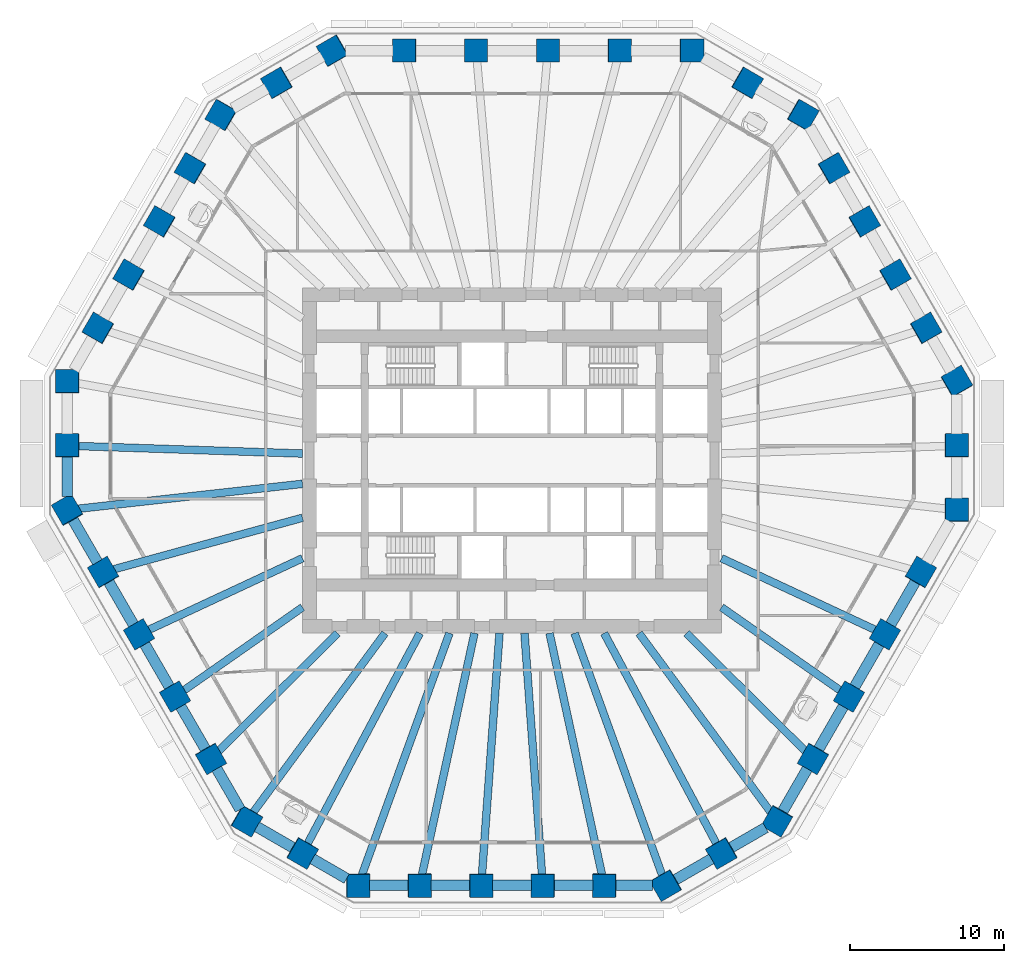
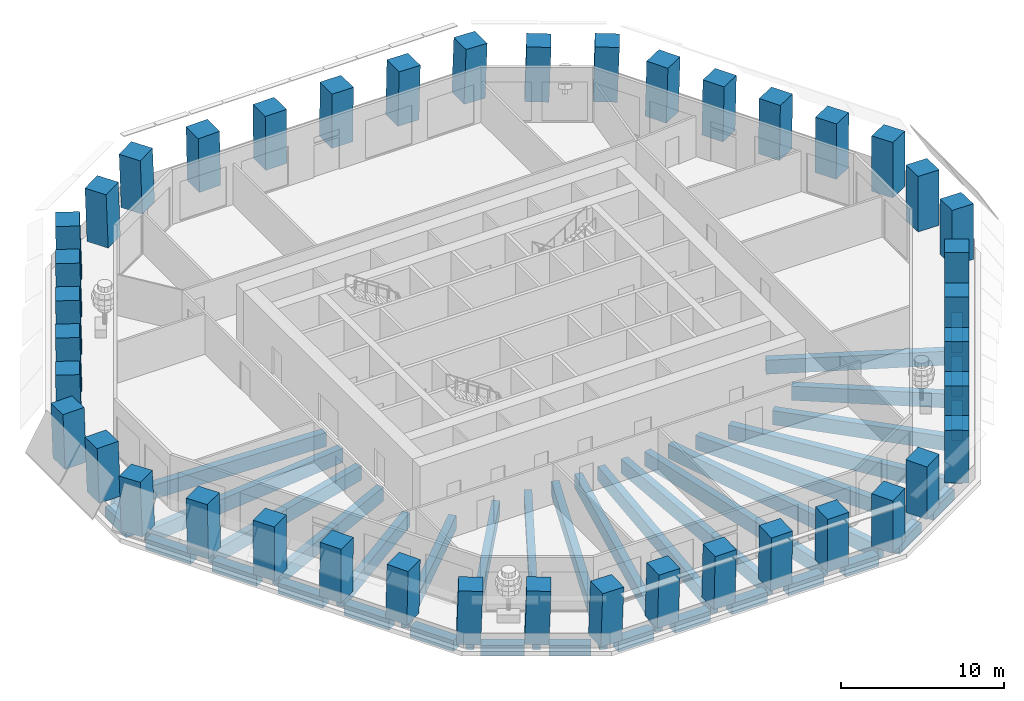
# One storey, part 1 of 12: 42 columns, 38 beams.
"""IFC4 building model written with IfcOpenShell, lengths in metres."""

from ifc_helpers import new_model, si_unit, direction, frame, origin, origin_2d, place, context, subcontext, project, spatial, rectangle, extrude, material, material_profile, profile_set, type_object, element, save


model = new_model("IFC4")

# Units and contexts
model_context = context("Model", 3, precision=1e-05, world=origin(), true_north=direction((0.0, 1.0)))
body_context = subcontext(model_context, "Body", "Model", "MODEL_VIEW")
ifc_project = project(units=[si_unit("LENGTHUNIT", "METRE"), si_unit("AREAUNIT", "SQUARE_METRE"), si_unit("VOLUMEUNIT", "CUBIC_METRE"), si_unit("PLANEANGLEUNIT", "RADIAN"), si_unit("MASSUNIT", "GRAM", prefix="KILO")], contexts=[model_context])

# Site, building, storey
site_placement = place(None, origin())
site = spatial("IfcSite", under=ifc_project, at=site_placement, CompositionType="ELEMENT")
building_placement = place(site_placement, origin())
building = spatial("IfcBuilding", under=site, at=building_placement, Name="Frailejon Research Tower", CompositionType="ELEMENT")
storey_placement = place(building_placement, frame((0.0, 0.0, 45.39990234375)))
storey = spatial("IfcBuildingStorey", under=building, at=storey_placement, Name="L10", CompositionType="ELEMENT", Elevation=45.39990234375)

# Columns
ifc_material_1 = material(Name="Concrete C70/85", Category="concrete")
ifc_material_profile_1 = material_profile(ifc_material_1, rectangle(XDim=1.5, YDim=1.5, at=origin_2d()), Name="Column 1500")
ifc_profile_set_1 = profile_set([ifc_material_profile_1], Name="Concrete C70/85")
column_type = type_object("IfcColumnType", Name="Column 1500", PredefinedType="COLUMN", material=ifc_profile_set_1)
for number, where, z_axis, x_axis, name in (
    (1, (28.9716796875, -3.219482421875, 0.0), (0.018132630042, 0.031385715123, 0.999342856388), (-0.000879091474, 0.999507299139, -0.031374928948), "Column C01"),
    (2, (28.9716796875, 0.968017578125, 0.0), (0.018132630042, 0.031385715123, 0.999342856388), (-0.000564983943, 0.99950734708, -0.031380629795), "Column C02"),
    (3, (28.9716796875, 5.155517578125, 0.0), (0.018132630042, 0.031385715123, 0.999342856388), (-0.500407005807, 0.865600954182, -0.018105707902), "Column C03"),
):
    element("IfcColumn", number, at=place(storey_placement, frame(where, z_axis=z_axis, x_axis=x_axis)), inside=storey, type_object=column_type, Name=name, PredefinedType="COLUMN", context=body_context, shape_type="SweptSolid", body=[
        extrude(rectangle(XDim=1.5, YDim=1.5, at=origin_2d()), origin(), (0.0, 0.0, 1.0), 4.052734375),
    ])
column_1_placement = place(storey_placement, frame((26.96728515625, 8.626953125, 0.0), z_axis=(0.021809609218, 0.025123223878, 0.999446429063), x_axis=(-0.499316957517, 0.86635106376, -0.010881647777)))
element("IfcColumn", 4, at=column_1_placement, inside=storey, type_object=column_type, Name="Column C04", PredefinedType="COLUMN", context=body_context, shape_type="SweptSolid", body=[
    extrude(rectangle(XDim=1.5, YDim=1.5, at=origin_2d()), origin(), (0.0, 0.0, 1.0), 4.05224609375),
])
for number, where, z_axis, x_axis, name in (
    (5, (24.963134765625, 12.098388671875, 0.0), (0.025425823116, 0.018798238892, 0.999499951843), (-0.498882626684, 0.866662044711, -0.003609023418), "Column C05"),
    (6, (22.958984375, 15.569580078125, 0.0), (0.029040838643, 0.012592396839, 0.999498905068), (-0.500555205851, 0.86569697754, 0.003637165647), "Column C06"),
):
    element("IfcColumn", number, at=place(storey_placement, frame(where, z_axis=z_axis, x_axis=x_axis)), inside=storey, type_object=column_type, Name=name, PredefinedType="COLUMN", context=body_context, shape_type="SweptSolid", body=[
        extrude(rectangle(XDim=1.5, YDim=1.5, at=origin_2d()), origin(), (0.0, 0.0, 1.0), 4.052001953125),
    ])
column_2_placement = place(storey_placement, frame((20.954833984375, 19.041015625, 0.0), z_axis=(0.032654187208, 0.006265748099, 0.999447069363), x_axis=(-0.498938011444, 0.86656951925, 0.010868718561)))
element("IfcColumn", 7, at=column_2_placement, inside=storey, type_object=column_type, Name="Column C07", PredefinedType="COLUMN", context=body_context, shape_type="SweptSolid", body=[
    extrude(rectangle(XDim=1.5, YDim=1.5, at=origin_2d()), origin(), (0.0, 0.0, 1.0), 4.05224609375),
])
for number, where, z_axis, x_axis, name in (
    (8, (18.95068359375, 22.512451171875, 0.0), (0.036265236264, 0.0, 0.999342199969), (-0.865313546461, 0.500246354177, 0.031401456084), "Column C08"),
    (9, (15.32421875, 24.606201171875, 0.0), (0.036205074038, 0.0, 0.999344381389), (-0.865315435316, 0.500246354177, 0.031349362627), "Column C09"),
    (10, (11.697509765625, 26.699951171875, 0.0), (0.036265236264, 0.0, 0.999342199969), (-0.999342199969, 0.0, 0.036265236264), "Column C10"),
):
    element("IfcColumn", number, at=place(storey_placement, frame(where, z_axis=z_axis, x_axis=x_axis)), inside=storey, type_object=column_type, Name=name, PredefinedType="COLUMN", context=body_context, shape_type="SweptSolid", body=[
        extrude(rectangle(XDim=1.5, YDim=1.5, at=origin_2d()), origin(), (0.0, 0.0, 1.0), 4.052734375),
    ])
column_3_placement = place(storey_placement, frame((7.0185546875, 26.699951171875, 0.0), z_axis=(0.021756257337, 0.0, 0.999763304621), x_axis=(-0.999763304621, 0.0, 0.021756257337)))
element("IfcColumn", 11, at=column_3_placement, inside=storey, type_object=column_type, Name="Column C11", PredefinedType="COLUMN", context=body_context, shape_type="SweptSolid", body=[
    extrude(rectangle(XDim=1.5, YDim=1.5, at=origin_2d()), origin(), (0.0, 0.0, 1.0), 4.051025390625),
])
for number, where, z_axis, x_axis, name in (
    (12, (2.339599609375, 26.699951171875, 0.0), (0.007233519834, 0.0, 0.999973837753), (-0.999973837753, 0.0, 0.007233519834), "Column C12"),
    (13, (-2.339599609375, 26.699951171875, 0.0), (-0.007233519834, 0.0, 0.999973837753), (-0.999973837753, 0.0, -0.007233519834), "Column C13"),
):
    element("IfcColumn", number, at=place(storey_placement, frame(where, z_axis=z_axis, x_axis=x_axis)), inside=storey, type_object=column_type, Name=name, PredefinedType="COLUMN", context=body_context, shape_type="SweptSolid", body=[
        extrude(rectangle(XDim=1.5, YDim=1.5, at=origin_2d()), origin(), (0.0, 0.0, 1.0), 4.050048828125),
    ])
column_4_placement = place(storey_placement, frame((-7.0185546875, 26.699951171875, 0.0), z_axis=(-0.021756257337, 0.0, 0.999763304621), x_axis=(-0.999763304621, 0.0, -0.021756257337)))
element("IfcColumn", 14, at=column_4_placement, inside=storey, type_object=column_type, Name="Column C14", PredefinedType="COLUMN", context=body_context, shape_type="SweptSolid", body=[
    extrude(rectangle(XDim=1.5, YDim=1.5, at=origin_2d()), origin(), (0.0, 0.0, 1.0), 4.051025390625),
])
for number, where, z_axis, x_axis, name in (
    (15, (-11.697509765625, 26.699951171875, 0.0), (-0.036265236264, 0.0, 0.999342199969), (-0.865313546461, -0.500246354177, -0.031401456084), "Column C15"),
    (16, (-15.32421875, 24.606201171875, 0.0), (-0.036205074038, 0.0, 0.999344381389), (-0.865315435316, -0.500246354177, -0.031349362627), "Column C16"),
    (17, (-18.95068359375, 22.512451171875, 0.0), (-0.036265236264, 0.0, 0.999342199969), (-0.499424867419, -0.866167613071, -0.018123682572), "Column C17"),
):
    element("IfcColumn", number, at=place(storey_placement, frame(where, z_axis=z_axis, x_axis=x_axis)), inside=storey, type_object=column_type, Name=name, PredefinedType="COLUMN", context=body_context, shape_type="SweptSolid", body=[
        extrude(rectangle(XDim=1.5, YDim=1.5, at=origin_2d()), origin(), (0.0, 0.0, 1.0), 4.052734375),
    ])
column_5_placement = place(storey_placement, frame((-20.954833984375, 19.041015625, 0.0), z_axis=(-0.032654187208, 0.006265748099, 0.999447069363), x_axis=(-0.498938011444, -0.86656951925, -0.010868718561)))
element("IfcColumn", 18, at=column_5_placement, inside=storey, type_object=column_type, Name="Column C18", PredefinedType="COLUMN", context=body_context, shape_type="SweptSolid", body=[
    extrude(rectangle(XDim=1.5, YDim=1.5, at=origin_2d()), origin(), (0.0, 0.0, 1.0), 4.05224609375),
])
for number, where, z_axis, x_axis, name in (
    (19, (-22.958984375, 15.569580078125, 0.0), (-0.029040838643, 0.012592396839, 0.999498905068), (-0.500555205851, -0.86569697754, -0.003637165647), "Column C19"),
    (20, (-24.963134765625, 12.098388671875, 0.0), (-0.025425823116, 0.018798238892, 0.999499951843), (-0.498882626684, -0.866662044711, 0.003609023418), "Column C20"),
):
    element("IfcColumn", number, at=place(storey_placement, frame(where, z_axis=z_axis, x_axis=x_axis)), inside=storey, type_object=column_type, Name=name, PredefinedType="COLUMN", context=body_context, shape_type="SweptSolid", body=[
        extrude(rectangle(XDim=1.5, YDim=1.5, at=origin_2d()), origin(), (0.0, 0.0, 1.0), 4.052001953125),
    ])
column_6_placement = place(storey_placement, frame((-26.96728515625, 8.626953125, 0.0), z_axis=(-0.021809609218, 0.025123223878, 0.999446429063), x_axis=(-0.499316957517, -0.86635106376, 0.010881647777)))
element("IfcColumn", 21, at=column_6_placement, inside=storey, type_object=column_type, Name="Column C21", PredefinedType="COLUMN", context=body_context, shape_type="SweptSolid", body=[
    extrude(rectangle(XDim=1.5, YDim=1.5, at=origin_2d()), origin(), (0.0, 0.0, 1.0), 4.05224609375),
])
for number, where, z_axis, x_axis, name in (
    (22, (-28.9716796875, 5.155517578125, 0.0), (-0.018132630042, 0.031385715123, 0.999342856388), (-0.000564983943, -0.99950734708, 0.031380629795), "Column C22"),
    (23, (-28.9716796875, 0.968017578125, 0.0), (-0.018132630042, 0.031385715123, 0.999342856388), (-0.000564983943, -0.99950734708, 0.031380629795), "Column C23"),
    (24, (-28.9716796875, -3.219482421875, 0.0), (-0.018132630042, 0.031385715123, 0.999342856388), (0.499402725048, -0.865611381221, 0.036247136648), "Column C24"),
):
    element("IfcColumn", number, at=place(storey_placement, frame(where, z_axis=z_axis, x_axis=x_axis)), inside=storey, type_object=column_type, Name=name, PredefinedType="COLUMN", context=body_context, shape_type="SweptSolid", body=[
        extrude(rectangle(XDim=1.5, YDim=1.5, at=origin_2d()), origin(), (0.0, 0.0, 1.0), 4.052734375),
    ])
column_7_placement = place(storey_placement, frame((-26.632080078125, -7.271728515625, 0.0), z_axis=(-0.010908253887, 0.018863444567, 0.99976256204), x_axis=(0.500638377412, -0.865382225109, 0.021790354016)))
element("IfcColumn", 25, at=column_7_placement, inside=storey, type_object=column_type, Name="Column C25", PredefinedType="COLUMN", context=body_context, shape_type="SweptSolid", body=[
    extrude(rectangle(XDim=1.5, YDim=1.5, at=origin_2d()), origin(), (0.0, 0.0, 1.0), 4.051025390625),
])
for number, where, z_axis, x_axis, name in (
    (26, (-24.29248046875, -11.323974609375, 0.0), (-0.003677038334, 0.006269048963, 0.999973588858), (0.504393140963, -0.863443534882, 0.007267834663), "Column C26"),
    (27, (-21.953125, -15.376220703125, 0.0), (0.003616759812, -0.006269050341, 0.999973808685), (0.500530036588, -0.865688916746, -0.00723753388), "Column C27"),
):
    element("IfcColumn", number, at=place(storey_placement, frame(where, z_axis=z_axis, x_axis=x_axis)), inside=storey, type_object=column_type, Name=name, PredefinedType="COLUMN", context=body_context, shape_type="SweptSolid", body=[
        extrude(rectangle(XDim=1.5, YDim=1.5, at=origin_2d()), origin(), (0.0, 0.0, 1.0), 4.050048828125),
    ])
column_8_placement = place(storey_placement, frame((-19.613525390625, -19.42822265625, 0.0), z_axis=(0.010847994403, -0.018863456933, 0.999763217472), x_axis=(0.498562459177, -0.866580616749, -0.02176026136)))
element("IfcColumn", 28, at=column_8_placement, inside=storey, type_object=column_type, Name="Column C28", PredefinedType="COLUMN", context=body_context, shape_type="SweptSolid", body=[
    extrude(rectangle(XDim=1.5, YDim=1.5, at=origin_2d()), origin(), (0.0, 0.0, 1.0), 4.051025390625),
])
for number, where, z_axis, x_axis, name in (
    (29, (-17.274169921875, -23.48046875, 0.0), (0.018132630042, -0.031385715123, 0.999342856388), (0.865999247617, -0.499059286831, -0.031386802217), "Column C29"),
    (30, (-13.647705078125, -25.57421875, 0.0), (0.018132630042, -0.031385715123, 0.999342856388), (0.865884970752, -0.499257274245, -0.031390946777), "Column C30"),
    (31, (-10.02099609375, -27.66796875, 0.0), (0.018132630042, -0.031385715123, 0.999342856388), (0.999835440934, 0.001115627466, -0.018106529978), "Column C31"),
):
    element("IfcColumn", number, at=place(storey_placement, frame(where, z_axis=z_axis, x_axis=x_axis)), inside=storey, type_object=column_type, Name=name, PredefinedType="COLUMN", context=body_context, shape_type="SweptSolid", body=[
        extrude(rectangle(XDim=1.5, YDim=1.5, at=origin_2d()), origin(), (0.0, 0.0, 1.0), 4.052734375),
    ])
column_9_placement = place(storey_placement, frame((-6.0126953125, -27.66796875, 0.0), z_axis=(0.010904819076, -0.031389009606, 0.999447755011), x_axis=(0.999940093801, 0.001287275269, -0.010869762286)))
element("IfcColumn", 32, at=column_9_placement, inside=storey, type_object=column_type, Name="Column C32", PredefinedType="COLUMN", context=body_context, shape_type="SweptSolid", body=[
    extrude(rectangle(XDim=1.5, YDim=1.5, at=origin_2d()), origin(), (0.0, 0.0, 1.0), 4.05224609375),
])
for number, where, z_axis, x_axis, name in (
    (33, (-2.004150390625, -27.66796875, 0.0), (0.00361504848, -0.031390670968, 0.999500653927), (0.999993330164, -0.00040689317, -0.003629609449), "Column C33"),
    (34, (2.004150390625, -27.66796875, 0.0), (-0.00361504848, -0.031390670968, 0.999500653927), (0.999993330164, 0.00040689317, 0.003629609449), "Column C34"),
):
    element("IfcColumn", number, at=place(storey_placement, frame(where, z_axis=z_axis, x_axis=x_axis)), inside=storey, type_object=column_type, Name=name, PredefinedType="COLUMN", context=body_context, shape_type="SweptSolid", body=[
        extrude(rectangle(XDim=1.5, YDim=1.5, at=origin_2d()), origin(), (0.0, 0.0, 1.0), 4.052001953125),
    ])
column_10_placement = place(storey_placement, frame((6.0126953125, -27.66796875, 0.0), z_axis=(-0.010904819076, -0.031389009606, 0.999447755011), x_axis=(0.999940093801, -0.001287275269, 0.010869762286)))
element("IfcColumn", 35, at=column_10_placement, inside=storey, type_object=column_type, Name="Column C35", PredefinedType="COLUMN", context=body_context, shape_type="SweptSolid", body=[
    extrude(rectangle(XDim=1.5, YDim=1.5, at=origin_2d()), origin(), (0.0, 0.0, 1.0), 4.05224609375),
])
for number, where, z_axis, x_axis, name in (
    (36, (10.02099609375, -27.66796875, 0.0), (-0.018132630042, -0.031385715123, 0.999342856388), (0.866156195426, 0.498787200508, 0.031381104725), "Column C36"),
    (37, (13.647705078125, -25.57421875, 0.0), (-0.018132630042, -0.031385715123, 0.999342856388), (0.865884970752, 0.499257274245, 0.031390946777), "Column C37"),
    (38, (17.274169921875, -23.48046875, 0.0), (-0.018132630042, -0.031385715123, 0.999342856388), (0.49987281181, 0.865340000596, 0.036247143087), "Column C38"),
):
    element("IfcColumn", number, at=place(storey_placement, frame(where, z_axis=z_axis, x_axis=x_axis)), inside=storey, type_object=column_type, Name=name, PredefinedType="COLUMN", context=body_context, shape_type="SweptSolid", body=[
        extrude(rectangle(XDim=1.5, YDim=1.5, at=origin_2d()), origin(), (0.0, 0.0, 1.0), 4.052734375),
    ])
column_11_placement = place(storey_placement, frame((19.613525390625, -19.42822265625, 0.0), z_axis=(-0.010847994403, -0.018863456933, 0.999763217472), x_axis=(0.498562459177, 0.866580616749, 0.02176026136)))
element("IfcColumn", 39, at=column_11_placement, inside=storey, type_object=column_type, Name="Column C39", PredefinedType="COLUMN", context=body_context, shape_type="SweptSolid", body=[
    extrude(rectangle(XDim=1.5, YDim=1.5, at=origin_2d()), origin(), (0.0, 0.0, 1.0), 4.051025390625),
])
for number, where, z_axis, x_axis, name in (
    (40, (21.953125, -15.376220703125, 0.0), (-0.003616759812, -0.006269050341, 0.999973808685), (0.500530036588, 0.865688916746, 0.00723753388), "Column C40"),
    (41, (24.29248046875, -11.323974609375, 0.0), (0.003677038334, 0.006269048963, 0.999973588858), (0.504393140963, 0.863443534882, -0.007267834663), "Column C41"),
):
    element("IfcColumn", number, at=place(storey_placement, frame(where, z_axis=z_axis, x_axis=x_axis)), inside=storey, type_object=column_type, Name=name, PredefinedType="COLUMN", context=body_context, shape_type="SweptSolid", body=[
        extrude(rectangle(XDim=1.5, YDim=1.5, at=origin_2d()), origin(), (0.0, 0.0, 1.0), 4.050048828125),
    ])
column_12_placement = place(storey_placement, frame((26.632080078125, -7.271728515625, 0.0), z_axis=(0.010908253887, 0.018863444567, 0.99976256204), x_axis=(0.500638377412, 0.865382225109, -0.021790354016)))
element("IfcColumn", 42, at=column_12_placement, inside=storey, type_object=column_type, Name="Column C42", PredefinedType="COLUMN", context=body_context, shape_type="SweptSolid", body=[
    extrude(rectangle(XDim=1.5, YDim=1.5, at=origin_2d()), origin(), (0.0, 0.0, 1.0), 4.051025390625),
])

# Beams
ifc_material_2 = material(Name="Concrete C60/75", Category="concrete")
ifc_material_profile_2 = material_profile(ifc_material_2, rectangle(XDim=0.5, YDim=1.050048828125, at=origin_2d()), Name="Girder 500x1050")
ifc_profile_set_2 = profile_set([ifc_material_profile_2], Name="Concrete C60/75")
beam_type_1 = type_object("IfcBeamType", Name="Girder 500x1050", PredefinedType="BEAM", material=ifc_profile_set_2)
beam_1_placement = place(storey_placement, frame((-28.37158203125, 0.947998046875, -0.824951171875), z_axis=(0.999442144201, -0.033397610623, 0.0), x_axis=(0.033397610623, 0.999442144201, 0.0)))
element("IfcBeam", 43, at=beam_1_placement, inside=storey, type_object=beam_type_1, Name="Girder 500x1050", PredefinedType="BEAM", context=body_context, shape_type="SweptSolid", body=[
    extrude(rectangle(XDim=0.5, YDim=1.050048828125, at=origin_2d()), origin(), (0.0, 0.0, 1.0), 14.72998046875),
])
beam_2_placement = place(storey_placement, frame((-28.306884765625, -3.145751953125, -0.824951171875), z_axis=(0.993881109815, 0.110455147242, 0.0), x_axis=(-0.110455147242, 0.993881109815, 0.0)))
element("IfcBeam", 44, at=beam_2_placement, inside=storey, type_object=beam_type_1, Name="Girder 500x1050", PredefinedType="BEAM", context=body_context, shape_type="SweptSolid", body=[
    extrude(rectangle(XDim=0.5, YDim=1.050048828125, at=origin_2d()), origin(), (0.0, 0.0, 1.0), 14.747314453125),
])
beam_3_placement = place(storey_placement, frame((-26.02880859375, -7.10693359375, -0.824951171875), z_axis=(0.964688263389, 0.263394294698, 0.0), x_axis=(-0.263394294698, 0.964688263389, 0.0)))
element("IfcBeam", 45, at=beam_3_placement, inside=storey, type_object=beam_type_1, Name="Girder 500x1050", PredefinedType="BEAM", context=body_context, shape_type="SweptSolid", body=[
    extrude(rectangle(XDim=0.5, YDim=1.050048828125, at=origin_2d()), origin(), (0.0, 0.0, 1.0), 12.83203125),
])
beam_4_placement = place(storey_placement, frame((-23.74609375, -11.069091796875, -0.824951171875), z_axis=(0.906363914023, 0.422497876157, 0.0), x_axis=(-0.422497876157, 0.906363914023, 0.0)))
element("IfcBeam", 46, at=beam_4_placement, inside=storey, type_object=beam_type_1, Name="Girder 500x1050", PredefinedType="BEAM", context=body_context, shape_type="SweptSolid", body=[
    extrude(rectangle(XDim=0.5, YDim=1.050048828125, at=origin_2d()), origin(), (0.0, 0.0, 1.0), 11.13916015625),
])
beam_5_placement = place(storey_placement, frame((-21.459228515625, -15.0302734375, -0.824951171875), z_axis=(0.819074298061, 0.573687453458, 0.0), x_axis=(-0.573687453458, 0.819074298061, 0.0)))
element("IfcBeam", 47, at=beam_5_placement, inside=storey, type_object=beam_type_1, Name="Girder 500x1050", PredefinedType="BEAM", context=body_context, shape_type="SweptSolid", body=[
    extrude(rectangle(XDim=0.5, YDim=1.050048828125, at=origin_2d()), origin(), (0.0, 0.0, 1.0), 9.534423828125),
])
beam_6_placement = place(storey_placement, frame((-19.169189453125, -18.988037109375, -0.824951171875), z_axis=(0.710451590328, 0.703746074803, 0.0), x_axis=(-0.703746074803, 0.710451590328, 0.0)))
element("IfcBeam", 48, at=beam_6_placement, inside=storey, type_object=beam_type_1, Name="Girder 500x1050", PredefinedType="BEAM", context=body_context, shape_type="SweptSolid", body=[
    extrude(rectangle(XDim=0.5, YDim=1.050048828125, at=origin_2d()), origin(), (0.0, 0.0, 1.0), 10.99560546875),
])
beam_7_placement = place(storey_placement, frame((-16.915771484375, -22.993408203125, -0.824951171875), z_axis=(0.592592794892, 0.805502190836, 0.0), x_axis=(-0.805502190836, 0.592592794892, 0.0)))
element("IfcBeam", 49, at=beam_7_placement, inside=storey, type_object=beam_type_1, Name="Girder 500x1050", PredefinedType="BEAM", context=body_context, shape_type="SweptSolid", body=[
    extrude(rectangle(XDim=0.5, YDim=1.050048828125, at=origin_2d()), origin(), (0.0, 0.0, 1.0), 14.5791015625),
])
beam_8_placement = place(storey_placement, frame((-13.364990234375, -25.04443359375, -0.824951171875), z_axis=(0.470802175099, 0.882238806629, 0.0), x_axis=(-0.882238806629, 0.470802175099, 0.0)))
element("IfcBeam", 50, at=beam_8_placement, inside=storey, type_object=beam_type_1, Name="Girder 500x1050", PredefinedType="BEAM", context=body_context, shape_type="SweptSolid", body=[
    extrude(rectangle(XDim=0.5, YDim=1.050048828125, at=origin_2d()), origin(), (0.0, 0.0, 1.0), 15.6357421875),
])
beam_9_placement = place(storey_placement, frame((-9.80029296875, -27.058837890625, -0.824951171875), z_axis=(0.340530279891, 0.940233549964, 0.0), x_axis=(-0.940233549964, 0.340530279891, 0.0)))
element("IfcBeam", 51, at=beam_9_placement, inside=storey, type_object=beam_type_1, Name="Girder 500x1050", PredefinedType="BEAM", context=body_context, shape_type="SweptSolid", body=[
    extrude(rectangle(XDim=0.5, YDim=1.050048828125, at=origin_2d()), origin(), (0.0, 0.0, 1.0), 16.813720703125),
])
beam_10_placement = place(storey_placement, frame((-5.881591796875, -27.064453125, -0.824951171875), z_axis=(0.212361376943, 0.977191202162, 0.0), x_axis=(-0.977191202162, 0.212361376943, 0.0)))
element("IfcBeam", 52, at=beam_10_placement, inside=storey, type_object=beam_type_1, Name="Girder 500x1050", PredefinedType="BEAM", context=body_context, shape_type="SweptSolid", body=[
    extrude(rectangle(XDim=0.5, YDim=1.050048828125, at=origin_2d()), origin(), (0.0, 0.0, 1.0), 16.18359375),
])
for number, where, z_axis, x_axis, name in (
    (53, (-1.960693359375, -27.0673828125, -0.824951171875), (0.072246961312, 0.997386773815, 0.0), (-0.997386773815, 0.072246961312, 0.0), "Girder 500x1050"),
    (54, (1.960693359375, -27.0673828125, -0.824951171875), (-0.072246961312, 0.997386773815, 0.0), (-0.997386773815, -0.072246961312, 0.0), "Girder 500x1050"),
):
    element("IfcBeam", number, at=place(storey_placement, frame(where, z_axis=z_axis, x_axis=x_axis)), inside=storey, type_object=beam_type_1, Name=name, PredefinedType="BEAM", context=body_context, shape_type="SweptSolid", body=[
        extrude(rectangle(XDim=0.5, YDim=1.050048828125, at=origin_2d()), origin(), (0.0, 0.0, 1.0), 15.85888671875),
    ])
beam_11_placement = place(storey_placement, frame((5.881591796875, -27.064453125, -0.824951171875), z_axis=(-0.212361376943, 0.977191202162, 0.0), x_axis=(-0.977191202162, -0.212361376943, 0.0)))
element("IfcBeam", 55, at=beam_11_placement, inside=storey, type_object=beam_type_1, Name="Girder 500x1050", PredefinedType="BEAM", context=body_context, shape_type="SweptSolid", body=[
    extrude(rectangle(XDim=0.5, YDim=1.050048828125, at=origin_2d()), origin(), (0.0, 0.0, 1.0), 16.18359375),
])
beam_12_placement = place(storey_placement, frame((9.812744140625, -27.0927734375, -0.824951171875), z_axis=(-0.340538701764, 0.940230499718, 0.0), x_axis=(-0.940230499718, -0.340538701764, 0.0)))
element("IfcBeam", 56, at=beam_12_placement, inside=storey, type_object=beam_type_1, Name="Girder 500x1050", PredefinedType="BEAM", context=body_context, shape_type="SweptSolid", body=[
    extrude(rectangle(XDim=0.5, YDim=1.050048828125, at=origin_2d()), origin(), (0.0, 0.0, 1.0), 16.849853515625),
])
beam_13_placement = place(storey_placement, frame((13.364990234375, -25.04443359375, -0.824951171875), z_axis=(-0.470802175099, 0.882238806629, 0.0), x_axis=(-0.882238806629, -0.470802175099, 0.0)))
element("IfcBeam", 57, at=beam_13_placement, inside=storey, type_object=beam_type_1, Name="Girder 500x1050", PredefinedType="BEAM", context=body_context, shape_type="SweptSolid", body=[
    extrude(rectangle(XDim=0.5, YDim=1.050048828125, at=origin_2d()), origin(), (0.0, 0.0, 1.0), 15.6357421875),
])
beam_14_placement = place(storey_placement, frame((16.877685546875, -22.941650390625, -0.824951171875), z_axis=(-0.592592406461, 0.805502476598, 0.0), x_axis=(-0.805502476598, -0.592592406461, 0.0)))
element("IfcBeam", 58, at=beam_14_placement, inside=storey, type_object=beam_type_1, Name="Girder 500x1050", PredefinedType="BEAM", context=body_context, shape_type="SweptSolid", body=[
    extrude(rectangle(XDim=0.5, YDim=1.050048828125, at=origin_2d()), origin(), (0.0, 0.0, 1.0), 14.5146484375),
])
beam_15_placement = place(storey_placement, frame((19.169189453125, -18.988037109375, -0.824951171875), z_axis=(-0.710451590328, 0.703746074803, 0.0), x_axis=(-0.703746074803, -0.710451590328, 0.0)))
element("IfcBeam", 59, at=beam_15_placement, inside=storey, type_object=beam_type_1, Name="Girder 500x1050", PredefinedType="BEAM", context=body_context, shape_type="SweptSolid", body=[
    extrude(rectangle(XDim=0.5, YDim=1.050048828125, at=origin_2d()), origin(), (0.0, 0.0, 1.0), 10.99560546875),
])
beam_16_placement = place(storey_placement, frame((21.459228515625, -15.0302734375, -0.824951171875), z_axis=(-0.819074298061, 0.573687453458, 0.0), x_axis=(-0.573687453458, -0.819074298061, 0.0)))
element("IfcBeam", 60, at=beam_16_placement, inside=storey, type_object=beam_type_1, Name="Girder 500x1050", PredefinedType="BEAM", context=body_context, shape_type="SweptSolid", body=[
    extrude(rectangle(XDim=0.5, YDim=1.050048828125, at=origin_2d()), origin(), (0.0, 0.0, 1.0), 9.534423828125),
])
beam_17_placement = place(storey_placement, frame((23.74609375, -11.069091796875, -0.824951171875), z_axis=(-0.906363914023, 0.422497876157, 0.0), x_axis=(-0.422497876157, -0.906363914023, 0.0)))
element("IfcBeam", 61, at=beam_17_placement, inside=storey, type_object=beam_type_1, Name="Girder 500x1050", PredefinedType="BEAM", context=body_context, shape_type="SweptSolid", body=[
    extrude(rectangle(XDim=0.5, YDim=1.050048828125, at=origin_2d()), origin(), (0.0, 0.0, 1.0), 11.13916015625),
])
ifc_material_3 = material(Name="Concrete C60/75", Category="concrete")
ifc_material_profile_3 = material_profile(ifc_material_3, rectangle(XDim=0.699951171875, YDim=0.800048828125, at=origin_2d()), Name="Spandrel 700x800")
ifc_profile_set_3 = profile_set([ifc_material_profile_3], Name="Concrete C60/75")
beam_type_2 = type_object("IfcBeamType", Name="Spandrel 700x800", PredefinedType="BEAM", material=ifc_profile_set_3)
beam_18_placement = place(storey_placement, frame((-28.9716796875, 0.218017578125, -0.75), z_axis=(0.0, -1.0, 0.0), x_axis=(1.0, 0.0, 0.0)))
element("IfcBeam", 62, at=beam_18_placement, inside=storey, type_object=beam_type_2, Name="Spandrel 700x800", PredefinedType="BEAM", context=body_context, shape_type="SweptSolid", body=[
    extrude(rectangle(XDim=0.699951171875, YDim=0.800048828125, at=origin_2d()), origin(), (0.0, 0.0, 1.0), 2.571533203125),
])
beam_19_placement = place(storey_placement, frame((-28.5966796875, -3.869140625, -0.75), z_axis=(0.500012729556, -0.866018054247, 0.0), x_axis=(0.866018054247, 0.500012729556, 0.0)))
element("IfcBeam", 63, at=beam_19_placement, inside=storey, type_object=beam_type_2, Name="Spandrel 700x800", PredefinedType="BEAM", context=body_context, shape_type="SweptSolid", body=[
    extrude(rectangle(XDim=0.699951171875, YDim=0.800048828125, at=origin_2d()), origin(), (0.0, 0.0, 1.0), 3.17919921875),
])
for number, where, z_axis, x_axis, name in (
    (64, (-26.257080078125, -7.92138671875, -0.75), (0.500045985206, -0.865998852585, 0.0), (0.865998852585, 0.500045985206, 0.0), "Spandrel 700x800"),
    (65, (-23.91748046875, -11.973388671875, -0.75), (0.49995513091, -0.866051307416, 0.0), (0.866051307416, 0.49995513091, 0.0), "Spandrel 700x800"),
):
    element("IfcBeam", number, at=place(storey_placement, frame(where, z_axis=z_axis, x_axis=x_axis)), inside=storey, type_object=beam_type_2, Name=name, PredefinedType="BEAM", context=body_context, shape_type="SweptSolid", body=[
        extrude(rectangle(XDim=0.699951171875, YDim=0.800048828125, at=origin_2d()), origin(), (0.0, 0.0, 1.0), 3.178955078125),
    ])
beam_20_placement = place(storey_placement, frame((-21.578125, -16.025634765625, -0.75), z_axis=(0.500012729556, -0.866018054247, 0.0), x_axis=(0.866018054247, 0.500012729556, 0.0)))
element("IfcBeam", 66, at=beam_20_placement, inside=storey, type_object=beam_type_2, Name="Spandrel 700x800", PredefinedType="BEAM", context=body_context, shape_type="SweptSolid", body=[
    extrude(rectangle(XDim=0.699951171875, YDim=0.800048828125, at=origin_2d()), origin(), (0.0, 0.0, 1.0), 3.17919921875),
])
beam_21_placement = place(storey_placement, frame((-19.238525390625, -20.07763671875, -0.75), z_axis=(0.499970827278, -0.866042246008, 0.0), x_axis=(0.866042246008, 0.499970827278, 0.0)))
element("IfcBeam", 67, at=beam_21_placement, inside=storey, type_object=beam_type_2, Name="Spandrel 700x800", PredefinedType="BEAM", context=body_context, shape_type="SweptSolid", body=[
    extrude(rectangle(XDim=0.699951171875, YDim=0.800048828125, at=origin_2d()), origin(), (0.0, 0.0, 1.0), 3.063232421875),
])
beam_22_placement = place(storey_placement, frame((-16.62451171875, -23.85546875, -0.75), z_axis=(0.866020687897, -0.500008168067, 0.0), x_axis=(0.500008168067, 0.866020687897, 0.0)))
element("IfcBeam", 68, at=beam_22_placement, inside=storey, type_object=beam_type_2, Name="Spandrel 700x800", PredefinedType="BEAM", context=body_context, shape_type="SweptSolid", body=[
    extrude(rectangle(XDim=0.699951171875, YDim=0.800048828125, at=origin_2d()), origin(), (0.0, 0.0, 1.0), 2.6875),
])
beam_23_placement = place(storey_placement, frame((-12.998046875, -25.94921875, -0.75), z_axis=(0.86604962328, -0.499958048256, 0.0), x_axis=(0.499958048256, 0.86604962328, 0.0)))
element("IfcBeam", 69, at=beam_23_placement, inside=storey, type_object=beam_type_2, Name="Spandrel 700x800", PredefinedType="BEAM", context=body_context, shape_type="SweptSolid", body=[
    extrude(rectangle(XDim=0.699951171875, YDim=0.800048828125, at=origin_2d()), origin(), (0.0, 0.0, 1.0), 2.571533203125),
])
beam_24_placement = place(storey_placement, frame((-9.27099609375, -27.66796875, -0.75), z_axis=(1.0, 0.0, 0.0), x_axis=(0.0, 1.0, 0.0)))
element("IfcBeam", 70, at=beam_24_placement, inside=storey, type_object=beam_type_2, Name="Spandrel 700x800", PredefinedType="BEAM", context=body_context, shape_type="SweptSolid", body=[
    extrude(rectangle(XDim=0.699951171875, YDim=0.800048828125, at=origin_2d()), origin(), (0.0, 0.0, 1.0), 2.50830078125),
])
beam_25_placement = place(storey_placement, frame((-5.2626953125, -27.66796875, -0.75), z_axis=(1.0, 0.0, 0.0), x_axis=(0.0, 1.0, 0.0)))
element("IfcBeam", 71, at=beam_25_placement, inside=storey, type_object=beam_type_2, Name="Spandrel 700x800", PredefinedType="BEAM", context=body_context, shape_type="SweptSolid", body=[
    extrude(rectangle(XDim=0.699951171875, YDim=0.800048828125, at=origin_2d()), origin(), (0.0, 0.0, 1.0), 2.508544921875),
])
beam_26_placement = place(storey_placement, frame((-1.254150390625, -27.66796875, -0.75), z_axis=(1.0, 0.0, 0.0), x_axis=(0.0, 1.0, 0.0)))
element("IfcBeam", 72, at=beam_26_placement, inside=storey, type_object=beam_type_2, Name="Spandrel 700x800", PredefinedType="BEAM", context=body_context, shape_type="SweptSolid", body=[
    extrude(rectangle(XDim=0.699951171875, YDim=0.800048828125, at=origin_2d()), origin(), (0.0, 0.0, 1.0), 2.50830078125),
])
beam_27_placement = place(storey_placement, frame((2.754150390625, -27.66796875, -0.75), z_axis=(1.0, 0.0, 0.0), x_axis=(0.0, 1.0, 0.0)))
element("IfcBeam", 73, at=beam_27_placement, inside=storey, type_object=beam_type_2, Name="Spandrel 700x800", PredefinedType="BEAM", context=body_context, shape_type="SweptSolid", body=[
    extrude(rectangle(XDim=0.699951171875, YDim=0.800048828125, at=origin_2d()), origin(), (0.0, 0.0, 1.0), 2.508544921875),
])
beam_28_placement = place(storey_placement, frame((6.7626953125, -27.66796875, -0.75), z_axis=(1.0, 0.0, 0.0), x_axis=(0.0, 1.0, 0.0)))
element("IfcBeam", 74, at=beam_28_placement, inside=storey, type_object=beam_type_2, Name="Spandrel 700x800", PredefinedType="BEAM", context=body_context, shape_type="SweptSolid", body=[
    extrude(rectangle(XDim=0.699951171875, YDim=0.800048828125, at=origin_2d()), origin(), (0.0, 0.0, 1.0), 2.392333984375),
])
beam_29_placement = place(storey_placement, frame((10.67041015625, -27.29296875, -0.75), z_axis=(0.866043397086, 0.499968833392, 0.0), x_axis=(-0.499968833392, 0.866043397086, 0.0)))
element("IfcBeam", 75, at=beam_29_placement, inside=storey, type_object=beam_type_2, Name="Spandrel 700x800", PredefinedType="BEAM", context=body_context, shape_type="SweptSolid", body=[
    extrude(rectangle(XDim=0.699951171875, YDim=0.800048828125, at=origin_2d()), origin(), (0.0, 0.0, 1.0), 2.687744140625),
])
beam_30_placement = place(storey_placement, frame((14.297119140625, -25.19921875, -0.75), z_axis=(0.866008514048, 0.50002925274, 0.0), x_axis=(-0.50002925274, 0.866008514048, 0.0)))
element("IfcBeam", 76, at=beam_30_placement, inside=storey, type_object=beam_type_2, Name="Spandrel 700x800", PredefinedType="BEAM", context=body_context, shape_type="SweptSolid", body=[
    extrude(rectangle(XDim=0.699951171875, YDim=0.800048828125, at=origin_2d()), origin(), (0.0, 0.0, 1.0), 2.571533203125),
])
beam_31_placement = place(storey_placement, frame((17.649169921875, -22.830810546875, -0.75), z_axis=(0.49995513091, 0.866051307416, 0.0), x_axis=(-0.866051307416, 0.49995513091, 0.0)))
element("IfcBeam", 77, at=beam_31_placement, inside=storey, type_object=beam_type_2, Name="Spandrel 700x800", PredefinedType="BEAM", context=body_context, shape_type="SweptSolid", body=[
    extrude(rectangle(XDim=0.699951171875, YDim=0.800048828125, at=origin_2d()), origin(), (0.0, 0.0, 1.0), 3.178955078125),
])
beam_32_placement = place(storey_placement, frame((19.988525390625, -18.77880859375, -0.75), z_axis=(0.500012729556, 0.866018054247, 0.0), x_axis=(-0.866018054247, 0.500012729556, 0.0)))
element("IfcBeam", 78, at=beam_32_placement, inside=storey, type_object=beam_type_2, Name="Spandrel 700x800", PredefinedType="BEAM", context=body_context, shape_type="SweptSolid", body=[
    extrude(rectangle(XDim=0.699951171875, YDim=0.800048828125, at=origin_2d()), origin(), (0.0, 0.0, 1.0), 3.17919921875),
])
for number, where, z_axis, x_axis, name in (
    (79, (22.328125, -14.7265625, -0.75), (0.49995513091, 0.866051307416, 0.0), (-0.866051307416, 0.49995513091, 0.0), "Spandrel 700x800"),
    (80, (24.66748046875, -10.67431640625, -0.75), (0.500045985206, 0.865998852585, 0.0), (-0.865998852585, 0.500045985206, 0.0), "Spandrel 700x800"),
):
    element("IfcBeam", number, at=place(storey_placement, frame(where, z_axis=z_axis, x_axis=x_axis)), inside=storey, type_object=beam_type_2, Name=name, PredefinedType="BEAM", context=body_context, shape_type="SweptSolid", body=[
        extrude(rectangle(XDim=0.699951171875, YDim=0.800048828125, at=origin_2d()), origin(), (0.0, 0.0, 1.0), 3.178955078125),
    ])

save(model, "model.ifc")
